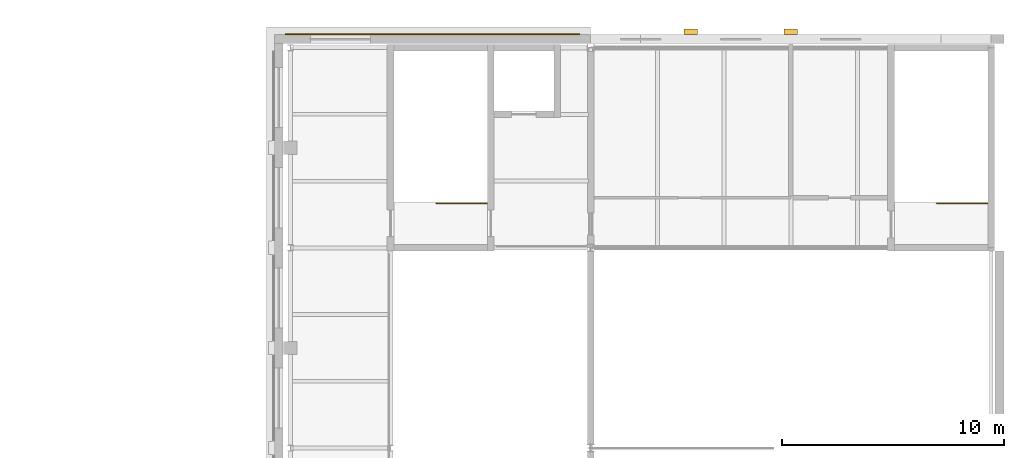
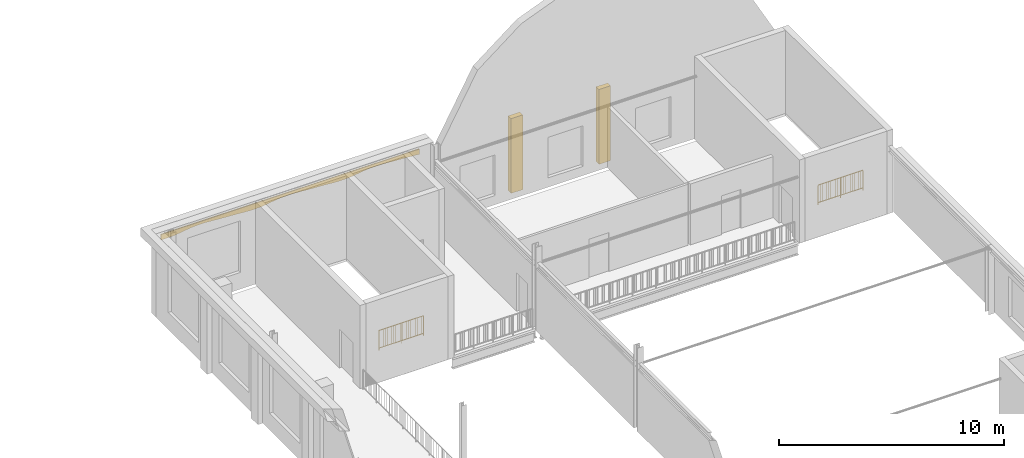
# One storey, part 59 of 59: 3 coverings, 2 railings.
"""IFC4 building model written with IfcOpenShell, lengths in metres."""

import ifcopenshell
import ifcopenshell.guid

model = None  # the IFC model being written
_history = None  # IfcOwnerHistory: only IFC2X3 demands one
_inside = {}  # id of a spatial element -> (the spatial element, [elements in it])
_under = {}  # id of a project, library or spatial element -> (it, [spatial elements below it])
_declared = {}  # id of a project -> (the project, [libraries it declares])
_typed = {}  # id of a type object -> (the type object, [elements of that type])
_made_of = {}  # id of a material, layer set ... -> (it, [elements and type objects made of it])


def new_model(schema):
    """Start an empty IFC model of exactly this schema.

    Asked for "IFC4X3", IfcOpenShell would pick the latest addendum, in which some entities
    have other attributes; the version numbers below select the first issue.
    IFC2X3 requires an IfcOwnerHistory on every rooted entity: one is made here for all.
    """
    global model, _history
    if schema == "IFC4X3":
        model = ifcopenshell.file(schema_version=(4, 3, 0, 0))
    else:
        model = ifcopenshell.file(schema=schema)
    _inside.clear()
    _under.clear()
    _declared.clear()
    _typed.clear()
    _made_of.clear()
    _history = None
    if model.schema == "IFC2X3":
        org = make("IfcOrganization", Name="unknown")
        user = make(
            "IfcPersonAndOrganization",
            ThePerson=make("IfcPerson", FamilyName="unknown"),
            TheOrganization=org,
        )
        app = make(
            "IfcApplication",
            ApplicationDeveloper=org,
            Version="unknown",
            ApplicationFullName="unknown",
            ApplicationIdentifier="unknown",
        )
        _history = make(
            "IfcOwnerHistory",
            OwningUser=user,
            OwningApplication=app,
            ChangeAction="ADDED",
            CreationDate=0,
        )
    return model


def make(cls, **values):
    """One entity of the class cls with the attributes given. An attribute that is None is left unset."""
    return model.create_entity(
        cls, **{name: value for name, value in values.items() if value is not None}
    )


def rooted(cls, **values):
    """An entity with a GlobalId (a new one), such as an element, a storey or a relation."""
    return make(cls, GlobalId=ifcopenshell.guid.new(), OwnerHistory=_history, **values)


def si_unit(unit_type, name, prefix=None):
    """IfcSIUnit, for example si_unit("LENGTHUNIT", "METRE", prefix="MILLI")."""
    return make("IfcSIUnit", UnitType=unit_type, Prefix=prefix, Name=name)


def assignment(units):
    """IfcUnitAssignment: the units of a project."""
    return None if units is None else make("IfcUnitAssignment", Units=units)


def point(xyz):
    """IfcCartesianPoint."""
    return None if xyz is None else make("IfcCartesianPoint", Coordinates=xyz)


def direction(xyz):
    """IfcDirection."""
    return None if xyz is None else make("IfcDirection", DirectionRatios=xyz)


def frame(location, z_axis=None, x_axis=None):
    """IfcAxis2Placement3D, a coordinate frame: its origin and axes. An axis left out is left unset."""
    return make(
        "IfcAxis2Placement3D",
        Location=point(location),
        Axis=direction(z_axis),
        RefDirection=direction(x_axis),
    )


def frame_2d(location, x_axis=None):
    """IfcAxis2Placement2D, a coordinate frame in the plane: its origin and x axis."""
    return make(
        "IfcAxis2Placement2D", Location=point(location), RefDirection=direction(x_axis)
    )


def origin():
    """The frame at (0, 0, 0) with its axes left unset."""
    return frame((0.0, 0.0, 0.0))


def origin_2d():
    """The frame at (0, 0) in the plane with its x axis left unset."""
    return frame_2d((0.0, 0.0))


def place(relative_to, where):
    """IfcLocalPlacement: puts the frame where relative to a parent placement (None: the world)."""
    return make(
        "IfcLocalPlacement", PlacementRelTo=relative_to, RelativePlacement=where
    )


def context(
    kind, dimensions, precision=None, world=None, true_north=None, identifier=None
):
    """IfcGeometricRepresentationContext, for example the 3D "Model" context."""
    return make(
        "IfcGeometricRepresentationContext",
        ContextIdentifier=identifier,
        ContextType=kind,
        CoordinateSpaceDimension=dimensions,
        Precision=precision,
        WorldCoordinateSystem=world,
        TrueNorth=true_north,
    )


def subcontext(parent, identifier, kind, view, scale=None):
    """IfcGeometricRepresentationSubContext, for example "Body" below "Model"."""
    return make(
        "IfcGeometricRepresentationSubContext",
        ContextIdentifier=identifier,
        ContextType=kind,
        ParentContext=parent,
        TargetScale=scale,
        TargetView=view,
    )


def project(units=None, contexts=None):
    """IfcProject with its units and contexts."""
    return rooted(
        "IfcProject",
        Name="project",
        RepresentationContexts=contexts,
        UnitsInContext=assignment(units),
    )


def spatial(cls, under=None, at=None, **own):
    """A site, building, storey or space (cls), placed at a placement, below another one or the project."""
    s = rooted(cls, ObjectPlacement=at, **own)
    if under is not None:
        _under.setdefault(under.id(), (under, []))[1].append(s)
    return s


def polyline(points):
    """IfcPolyline through the points."""
    return make("IfcPolyline", Points=[point(p) for p in points])


def profile(cls, at=None, kind="AREA", **sizes):
    """A parametric profile (cls). Its sizes go by their IFC names, for example OverallWidth=200.0."""
    return make(cls, ProfileType=kind, Position=at, **sizes)


def rectangle(**sizes):
    """IfcRectangleProfileDef."""
    return profile("IfcRectangleProfileDef", **sizes)


def circle(**sizes):
    """IfcCircleProfileDef."""
    return profile("IfcCircleProfileDef", **sizes)


def outline(outer, holes=None, kind="AREA"):
    """IfcArbitraryClosedProfileDef: a profile drawn as a closed curve; with holes, ...WithVoids."""
    if holes is None:
        return make("IfcArbitraryClosedProfileDef", ProfileType=kind, OuterCurve=outer)
    return make(
        "IfcArbitraryProfileDefWithVoids",
        ProfileType=kind,
        OuterCurve=outer,
        InnerCurves=holes,
    )


def extrude(swept, where, along, depth):
    """IfcExtrudedAreaSolid: the profile swept, set in the frame where, extruded along a direction by depth."""
    return make(
        "IfcExtrudedAreaSolid",
        SweptArea=swept,
        Position=where,
        ExtrudedDirection=direction(along),
        Depth=depth,
    )


def shape(context_of_items, identifier, shape_type, items):
    """IfcShapeRepresentation: the items that make up one representation, for example the "Body"."""
    return make(
        "IfcShapeRepresentation",
        ContextOfItems=context_of_items,
        RepresentationIdentifier=identifier,
        RepresentationType=shape_type,
        Items=items,
    )


def material(Name=None, Category=None):
    """IfcMaterial."""
    return make("IfcMaterial", Name=Name, Category=Category)


def layer(
    of_material, thickness, ventilated=None, Name=None, Category=None, Priority=None
):
    """IfcMaterialLayer: one layer of a wall or slab, of a material (None: an air gap)."""
    return make(
        "IfcMaterialLayer",
        Material=of_material,
        LayerThickness=thickness,
        IsVentilated=ventilated,
        Name=Name,
        Category=Category,
        Priority=Priority,
    )


def layer_set(layers, Name=None):
    """IfcMaterialLayerSet."""
    return make("IfcMaterialLayerSet", MaterialLayers=layers, LayerSetName=Name)


def made_of(thing, what):
    """Note that an element or type object is made of a material, layer set ...; save() writes the relation."""
    if what is not None:
        _made_of.setdefault(what.id(), (what, []))[1].append(thing)
    return thing


def type_object(cls, material=None, **own):
    """A type object (cls), such as IfcWallType, which elements share."""
    return made_of(rooted(cls, **own), material)


def element(
    cls,
    number,
    at=None,
    inside=None,
    cuts=None,
    type_object=None,
    material=None,
    context=None,
    identifier="Body",
    shape_type=None,
    held_by="IfcProductDefinitionShape",
    body=None,
    shapes=None,
    **own,
):
    """One element of the class cls, such as IfcWall. Its Tag is "e" and its number.

    at: its placement. inside: the storey or other place that contains it. cuts: it is an
    opening in that element (IfcRelVoidsElement). A single representation is given by context,
    identifier, shape_type and body (its items); several are given by shapes. held_by: the class
    of the entity that holds the representations. save() writes the other relations.
    """
    e = rooted(cls, Tag="e%d" % number, ObjectPlacement=at, **own)
    if body is not None:
        shapes = [shape(context, identifier, shape_type, body)]
    if shapes is not None:
        e.Representation = make(held_by, Representations=shapes)
    if inside is not None:
        _inside.setdefault(inside.id(), (inside, []))[1].append(e)
    if cuts is not None:
        rooted(
            "IfcRelVoidsElement", RelatingBuildingElement=cuts, RelatedOpeningElement=e
        )
    if type_object is not None:
        _typed.setdefault(type_object.id(), (type_object, []))[1].append(e)
    return made_of(e, material)


def aggregate(whole, parts):
    """IfcRelAggregates: a whole, such as a stair, and the parts it consists of."""
    return rooted("IfcRelAggregates", RelatingObject=whole, RelatedObjects=parts)


def save(model, path):
    """Write the relations noted so far, then the file.

    IfcRelAggregates (storeys below a building ...), IfcRelContainedInSpatialStructure (elements
    in a storey), IfcRelDefinesByType, IfcRelAssociatesMaterial and IfcRelDeclares: one each for
    every whole, place, type object, material and project.
    """
    for whole, parts in _under.values():
        aggregate(whole, parts)
    for where, things in _inside.values():
        rooted(
            "IfcRelContainedInSpatialStructure",
            RelatedElements=things,
            RelatingStructure=where,
        )
    for kind, things in _typed.values():
        rooted("IfcRelDefinesByType", RelatedObjects=things, RelatingType=kind)
    for what, things in _made_of.values():
        rooted("IfcRelAssociatesMaterial", RelatedObjects=things, RelatingMaterial=what)
    for by, libraries in _declared.values():
        rooted("IfcRelDeclares", RelatingContext=by, RelatedDefinitions=libraries)
    model.write(path)


model = new_model("IFC4")

# Units and contexts
model_context = context("Model", 3, precision=1e-05, world=origin(), true_north=direction((0.0, 1.0)))
body_context = subcontext(model_context, "Body", "Model", "MODEL_VIEW")
ifc_project = project(units=[si_unit("LENGTHUNIT", "METRE"), si_unit("AREAUNIT", "SQUARE_METRE"), si_unit("VOLUMEUNIT", "CUBIC_METRE"), si_unit("PLANEANGLEUNIT", "RADIAN"), si_unit("MASSUNIT", "GRAM", prefix="KILO")], contexts=[model_context])

# Site, building, storey
site_placement = place(None, origin())
site = spatial("IfcSite", under=ifc_project, at=site_placement, CompositionType="ELEMENT")
building_placement = place(site_placement, origin())
building = spatial("IfcBuilding", under=site, at=building_placement, Name="Hortulan Conservatory and Botanical Research Centre", CompositionType="ELEMENT")
storey_placement = place(building_placement, frame((0.0, 0.0, 10.5)))
storey = spatial("IfcBuildingStorey", under=building, at=storey_placement, Name="L02", CompositionType="ELEMENT", Elevation=10.5)

# Coverings
ifc_material_1 = material(Name="Faience cladding, cream glaze (non-combustible)", Category="ceramic")
ifc_layer_1 = layer(ifc_material_1, 0.25)
ifc_layer_set_1 = layer_set([ifc_layer_1], Name="Faience Pilaster 600x250")
covering_type_1 = type_object("IfcCoveringType", Name="Faience Pilaster 600x250", PredefinedType="CLADDING", material=ifc_layer_set_1)
for number, where, z_axis, x_axis, name in (
    (1, (94.5, 72.70458984375, 0.0), (0.0, 0.0, 1.0), (1.0, 0.0, 0.0), "Pier"),
    (2, (99.0, 72.70458984375, 0.0), (0.0, 0.0, 1.0), (1.0, 0.0, 0.0), "Pier"),
):
    element("IfcCovering", number, at=place(storey_placement, frame(where, z_axis=z_axis, x_axis=x_axis)), inside=storey, type_object=covering_type_1, Name=name, PredefinedType="CLADDING", context=body_context, shape_type="SweptSolid", body=[
        extrude(rectangle(XDim=0.60009765625, YDim=0.25, at=origin_2d()), origin(), (0.0, 0.0, 1.0), 4.050048828125),
    ])

# Railings
ifc_material_2 = material(Name="Steel balustrade, bronze-charcoal paint", Category="steel")
railing_type = type_object("IfcRailingType", Name="Stair Guard 1100", PredefinedType="GUARDRAIL", material=ifc_material_2)
railing_1_placement = place(storey_placement, frame((85.35009765625, 65.0, 0.0)))
element("IfcRailing", 3, at=railing_1_placement, inside=storey, type_object=railing_type, Name="Guard A1 L02 stair well 1", PredefinedType="GUARDRAIL", context=body_context, shape_type="SweptSolid", body=[
    extrude(circle(Radius=0.02392578125, at=origin_2d()), frame((0.0, 0.0, 1.076171875), z_axis=(-1.0, 0.0, 0.0), x_axis=(0.0, -1.0, 0.0)), (0.0, 0.0, 1.0), 2.300048828125),
    extrude(circle(Radius=0.02392578125, at=origin_2d()), frame((0.0, 0.0, 0.1240234375), z_axis=(-1.0, 0.0, 0.0), x_axis=(0.0, -1.0, 0.0)), (0.0, 0.0, 1.0), 2.300048828125),
    extrude(circle(Radius=0.008056640625, at=origin_2d()), frame((-0.109619140625, 0.0, 0.148193359375)), (0.0, 0.0, 1.0), 0.90380859375),
    extrude(circle(Radius=0.008056640625, at=origin_2d()), frame((-0.218994140625, 0.0, 0.148193359375)), (0.0, 0.0, 1.0), 0.90380859375),
    extrude(circle(Radius=0.008056640625, at=origin_2d()), frame((-0.32861328125, 0.0, 0.148193359375)), (0.0, 0.0, 1.0), 0.90380859375),
    extrude(circle(Radius=0.008056640625, at=origin_2d()), frame((-0.43798828125, 0.0, 0.148193359375)), (0.0, 0.0, 1.0), 0.90380859375),
    extrude(circle(Radius=0.008056640625, at=origin_2d()), frame((-0.547607421875, 0.0, 0.148193359375)), (0.0, 0.0, 1.0), 0.90380859375),
    extrude(circle(Radius=0.008056640625, at=origin_2d()), frame((-0.6572265625, 0.0, 0.148193359375)), (0.0, 0.0, 1.0), 0.90380859375),
    extrude(circle(Radius=0.008056640625, at=origin_2d()), frame((-0.7666015625, 0.0, 0.148193359375)), (0.0, 0.0, 1.0), 0.90380859375),
    extrude(circle(Radius=0.008056640625, at=origin_2d()), frame((-0.876220703125, 0.0, 0.148193359375)), (0.0, 0.0, 1.0), 0.90380859375),
    extrude(circle(Radius=0.008056640625, at=origin_2d()), frame((-0.98583984375, 0.0, 0.148193359375)), (0.0, 0.0, 1.0), 0.90380859375),
    extrude(circle(Radius=0.008056640625, at=origin_2d()), frame((-1.09521484375, 0.0, 0.148193359375)), (0.0, 0.0, 1.0), 0.90380859375),
    extrude(circle(Radius=0.008056640625, at=origin_2d()), frame((-1.204833984375, 0.0, 0.148193359375)), (0.0, 0.0, 1.0), 0.90380859375),
    extrude(circle(Radius=0.008056640625, at=origin_2d()), frame((-1.314208984375, 0.0, 0.148193359375)), (0.0, 0.0, 1.0), 0.90380859375),
    extrude(circle(Radius=0.008056640625, at=origin_2d()), frame((-1.423828125, 0.0, 0.148193359375)), (0.0, 0.0, 1.0), 0.90380859375),
    extrude(circle(Radius=0.008056640625, at=origin_2d()), frame((-1.533447265625, 0.0, 0.148193359375)), (0.0, 0.0, 1.0), 0.90380859375),
    extrude(circle(Radius=0.008056640625, at=origin_2d()), frame((-1.642822265625, 0.0, 0.148193359375)), (0.0, 0.0, 1.0), 0.90380859375),
    extrude(circle(Radius=0.008056640625, at=origin_2d()), frame((-1.75244140625, 0.0, 0.148193359375)), (0.0, 0.0, 1.0), 0.90380859375),
    extrude(circle(Radius=0.008056640625, at=origin_2d()), frame((-1.862060546875, 0.0, 0.148193359375)), (0.0, 0.0, 1.0), 0.90380859375),
    extrude(circle(Radius=0.008056640625, at=origin_2d()), frame((-1.971435546875, 0.0, 0.148193359375)), (0.0, 0.0, 1.0), 0.90380859375),
    extrude(circle(Radius=0.008056640625, at=origin_2d()), frame((-2.0810546875, 0.0, 0.148193359375)), (0.0, 0.0, 1.0), 0.90380859375),
    extrude(circle(Radius=0.008056640625, at=origin_2d()), frame((-2.1904296875, 0.0, 0.148193359375)), (0.0, 0.0, 1.0), 0.90380859375),
    extrude(circle(Radius=0.02099609375, at=origin_2d()), origin(), (0.0, 0.0, 1.0), 1.052001953125),
    extrude(circle(Radius=0.02099609375, at=origin_2d()), frame((-1.14990234375, 0.0, 0.0)), (0.0, 0.0, 1.0), 1.052001953125),
    extrude(circle(Radius=0.02099609375, at=origin_2d()), frame((-2.300048828125, 0.0, 0.0)), (0.0, 0.0, 1.0), 1.052001953125),
])
railing_2_placement = place(storey_placement, frame((107.85009765625, 65.0, 0.0)))
element("IfcRailing", 4, at=railing_2_placement, inside=storey, type_object=railing_type, Name="Guard A3 L02 stair well 1", PredefinedType="GUARDRAIL", context=body_context, shape_type="SweptSolid", body=[
    extrude(circle(Radius=0.02392578125, at=origin_2d()), frame((0.0, 0.0, 1.076171875), z_axis=(-1.0, 0.0, 0.0), x_axis=(0.0, -1.0, 0.0)), (0.0, 0.0, 1.0), 2.300048828125),
    extrude(circle(Radius=0.02392578125, at=origin_2d()), frame((0.0, 0.0, 0.1240234375), z_axis=(-1.0, 0.0, 0.0), x_axis=(0.0, -1.0, 0.0)), (0.0, 0.0, 1.0), 2.300048828125),
    extrude(circle(Radius=0.008056640625, at=origin_2d()), frame((-0.109619140625, 0.0, 0.148193359375)), (0.0, 0.0, 1.0), 0.90380859375),
    extrude(circle(Radius=0.008056640625, at=origin_2d()), frame((-0.218994140625, 0.0, 0.148193359375)), (0.0, 0.0, 1.0), 0.90380859375),
    extrude(circle(Radius=0.008056640625, at=origin_2d()), frame((-0.32861328125, 0.0, 0.148193359375)), (0.0, 0.0, 1.0), 0.90380859375),
    extrude(circle(Radius=0.008056640625, at=origin_2d()), frame((-0.43798828125, 0.0, 0.148193359375)), (0.0, 0.0, 1.0), 0.90380859375),
    extrude(circle(Radius=0.008056640625, at=origin_2d()), frame((-0.547607421875, 0.0, 0.148193359375)), (0.0, 0.0, 1.0), 0.90380859375),
    extrude(circle(Radius=0.008056640625, at=origin_2d()), frame((-0.6572265625, 0.0, 0.148193359375)), (0.0, 0.0, 1.0), 0.90380859375),
    extrude(circle(Radius=0.008056640625, at=origin_2d()), frame((-0.7666015625, 0.0, 0.148193359375)), (0.0, 0.0, 1.0), 0.90380859375),
    extrude(circle(Radius=0.008056640625, at=origin_2d()), frame((-0.876220703125, 0.0, 0.148193359375)), (0.0, 0.0, 1.0), 0.90380859375),
    extrude(circle(Radius=0.008056640625, at=origin_2d()), frame((-0.98583984375, 0.0, 0.148193359375)), (0.0, 0.0, 1.0), 0.90380859375),
    extrude(circle(Radius=0.008056640625, at=origin_2d()), frame((-1.09521484375, 0.0, 0.148193359375)), (0.0, 0.0, 1.0), 0.90380859375),
    extrude(circle(Radius=0.008056640625, at=origin_2d()), frame((-1.204833984375, 0.0, 0.148193359375)), (0.0, 0.0, 1.0), 0.90380859375),
    extrude(circle(Radius=0.008056640625, at=origin_2d()), frame((-1.314208984375, 0.0, 0.148193359375)), (0.0, 0.0, 1.0), 0.90380859375),
    extrude(circle(Radius=0.008056640625, at=origin_2d()), frame((-1.423828125, 0.0, 0.148193359375)), (0.0, 0.0, 1.0), 0.90380859375),
    extrude(circle(Radius=0.008056640625, at=origin_2d()), frame((-1.533447265625, 0.0, 0.148193359375)), (0.0, 0.0, 1.0), 0.90380859375),
    extrude(circle(Radius=0.008056640625, at=origin_2d()), frame((-1.642822265625, 0.0, 0.148193359375)), (0.0, 0.0, 1.0), 0.90380859375),
    extrude(circle(Radius=0.008056640625, at=origin_2d()), frame((-1.75244140625, 0.0, 0.148193359375)), (0.0, 0.0, 1.0), 0.90380859375),
    extrude(circle(Radius=0.008056640625, at=origin_2d()), frame((-1.862060546875, 0.0, 0.148193359375)), (0.0, 0.0, 1.0), 0.90380859375),
    extrude(circle(Radius=0.008056640625, at=origin_2d()), frame((-1.971435546875, 0.0, 0.148193359375)), (0.0, 0.0, 1.0), 0.90380859375),
    extrude(circle(Radius=0.008056640625, at=origin_2d()), frame((-2.0810546875, 0.0, 0.148193359375)), (0.0, 0.0, 1.0), 0.90380859375),
    extrude(circle(Radius=0.008056640625, at=origin_2d()), frame((-2.1904296875, 0.0, 0.148193359375)), (0.0, 0.0, 1.0), 0.90380859375),
    extrude(circle(Radius=0.02099609375, at=origin_2d()), origin(), (0.0, 0.0, 1.0), 1.052001953125),
    extrude(circle(Radius=0.02099609375, at=origin_2d()), frame((-1.14990234375, 0.0, 0.0)), (0.0, 0.0, 1.0), 1.052001953125),
    extrude(circle(Radius=0.02099609375, at=origin_2d()), frame((-2.300048828125, 0.0, 0.0)), (0.0, 0.0, 1.0), 1.052001953125),
])

# Covering
ifc_material_3 = material(Name="Faience cladding, wattle ochre glaze (non-combustible)", Category="ceramic")
ifc_layer_2 = layer(ifc_material_3, 0.050048828125)
ifc_layer_set_2 = layer_set([ifc_layer_2], Name="Whiplash Crown Frieze Panel 50")
covering_type_2 = type_object("IfcCoveringType", Name="Whiplash Crown Frieze Panel 50", PredefinedType="CLADDING", material=ifc_layer_set_2)
covering_placement = place(storey_placement, frame((76.27490234375, 72.6044921875, 3.75), z_axis=(0.0, 0.0, 1.0), x_axis=(1.0, 0.0, 0.0)))
element("IfcCovering", 5, at=covering_placement, inside=storey, type_object=covering_type_2, Name="Whiplash crown frieze", PredefinedType="CLADDING", context=body_context, shape_type="SweptSolid", body=[
    extrude(outline(polyline([(0.0, 0.0), (0.281494140625, 0.0), (0.562744140625, 0.00390625), (0.843994140625, 0.03369140625), (1.12548828125, 0.0751953125), (1.406982421875, 0.116455078125), (1.688232421875, 0.14599609375), (1.9697265625, 0.14990234375), (2.251220703125, 0.14990234375), (2.532470703125, 0.131591796875), (2.813720703125, 0.10986328125), (3.09521484375, 0.0908203125), (3.376708984375, 0.074951171875), (3.657958984375, 0.058837890625), (3.939453125, 0.039794921875), (4.220703125, 0.018310546875), (4.502197265625, 0.0), (4.783447265625, 0.0), (5.06494140625, 0.004150390625), (5.34619140625, 0.033935546875), (5.627685546875, 0.075439453125), (5.908935546875, 0.11669921875), (6.1904296875, 0.146240234375), (6.4716796875, 0.14990234375), (6.753173828125, 0.14990234375), (7.03466796875, 0.13134765625), (7.31591796875, 0.10986328125), (7.597412109375, 0.0908203125), (7.878662109375, 0.07470703125), (8.16015625, 0.058837890625), (8.44140625, 0.039794921875), (8.722900390625, 0.01806640625), (9.00439453125, 0.0), (9.28564453125, 0.0), (9.56689453125, 0.00439453125), (9.848388671875, 0.0341796875), (10.1298828125, 0.07568359375), (10.4111328125, 0.1171875), (10.692626953125, 0.146484375), (10.973876953125, 0.14990234375), (11.25537109375, 0.149658203125), (11.53662109375, 0.131103515625), (11.818115234375, 0.109619140625), (12.099609375, 0.090576171875), (12.380859375, 0.07470703125), (12.662109375, 0.05859375), (12.943603515625, 0.03955078125), (13.22509765625, 0.01806640625), (13.22509765625, 0.300048828125), (0.0, 0.300048828125), (0.0, 0.0)])), frame((0.0, 0.02490234375, 0.0), z_axis=(0.0, -1.0, 0.0), x_axis=(1.0, 0.0, 0.0)), (0.0, 0.0, 1.0), 0.050048828125),
])

save(model, "model.ifc")
